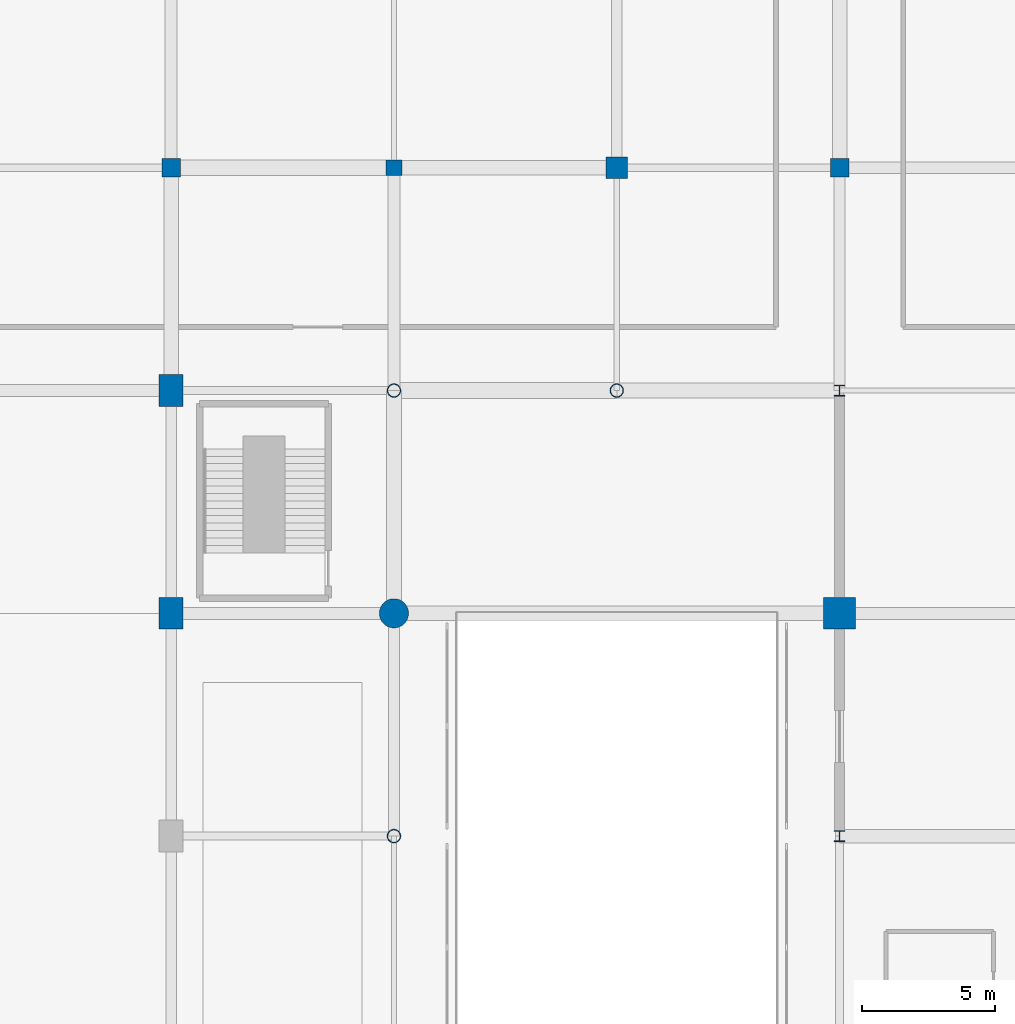
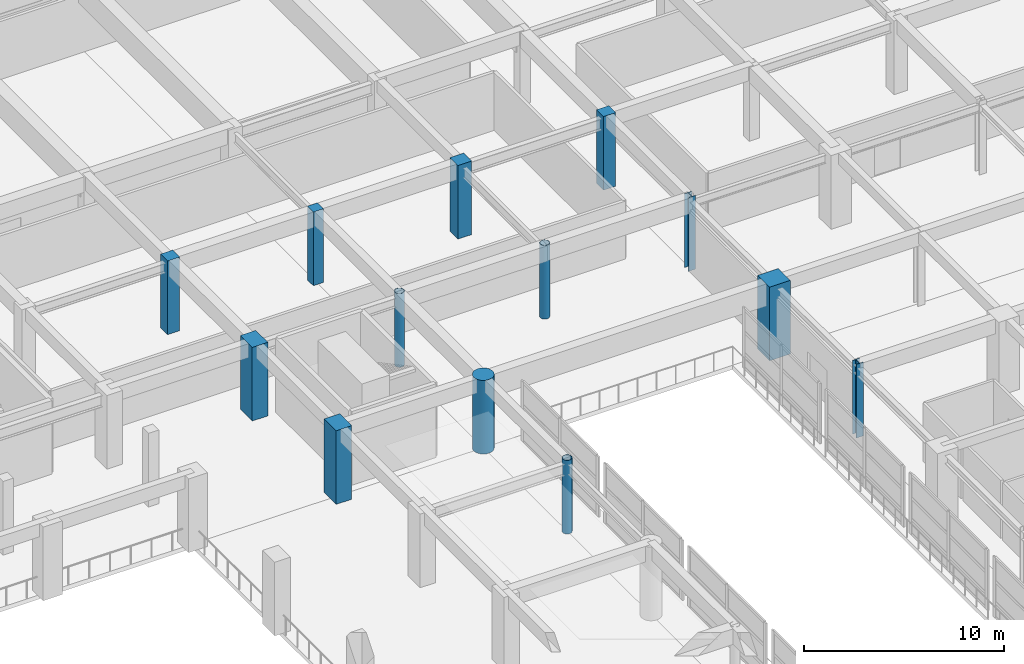
# One storey, part 4 of 65: 13 columns.
"""IFC4 building model written with IfcOpenShell, lengths in metres."""

from ifc_helpers import new_model, si_unit, direction, frame, origin, origin_2d, place, context, subcontext, project, spatial, rectangle, circle, hollow_circle, i_section, extrude, material, material_profile, profile_set, type_object, element, save


model = new_model("IFC4")

# Units and contexts
model_context = context("Model", 3, precision=1e-05, world=origin(), true_north=direction((0.0, 1.0)))
body_context = subcontext(model_context, "Body", "Model", "MODEL_VIEW")
ifc_project = project(units=[si_unit("LENGTHUNIT", "METRE"), si_unit("AREAUNIT", "SQUARE_METRE"), si_unit("VOLUMEUNIT", "CUBIC_METRE"), si_unit("PLANEANGLEUNIT", "RADIAN"), si_unit("MASSUNIT", "GRAM", prefix="KILO")], contexts=[model_context])

# Site, building, storey
site_placement = place(None, origin())
site = spatial("IfcSite", under=ifc_project, at=site_placement, CompositionType="ELEMENT")
building_placement = place(site_placement, origin())
building = spatial("IfcBuilding", under=site, at=building_placement, Name="Xuanlan Plaza Opera House", CompositionType="ELEMENT")
storey_placement = place(building_placement, frame((0.0, 0.0, 5.39990234375)))
storey = spatial("IfcBuildingStorey", under=building, at=storey_placement, Name="L01", CompositionType="ELEMENT", Elevation=5.39990234375)

# Columns
ifc_material_1 = material(Name="Concrete C60", Category="concrete")
ifc_material_profile_1 = material_profile(ifc_material_1, rectangle(XDim=1.199951171875, YDim=1.199951171875, at=origin_2d()), Name="RC-COL 1200x1200")
ifc_profile_set_1 = profile_set([ifc_material_profile_1], Name="Concrete C60")
column_type_1 = type_object("IfcColumnType", Name="STR-COL-C-02", PredefinedType="COLUMN", material=ifc_profile_set_1)
column_1_placement = place(storey_placement, frame((126.0, 75.60009765625, 0.0), z_axis=(0.0, 0.0, 1.0), x_axis=(1.0, 0.0, 0.0)))
element("IfcColumn", 1, at=column_1_placement, inside=storey, type_object=column_type_1, Name="Column L01 16-J", PredefinedType="COLUMN", context=body_context, shape_type="SweptSolid", body=[
    extrude(rectangle(XDim=1.199951171875, YDim=1.199951171875, at=origin_2d()), origin(), (0.0, 0.0, 1.0), 4.5),
])
ifc_material_2 = material(Name="Concrete C40", Category="concrete")
ifc_material_profile_2 = material_profile(ifc_material_2, rectangle(XDim=0.800048828125, YDim=0.800048828125, at=origin_2d()), Name="RC-COL 800x800")
ifc_profile_set_2 = profile_set([ifc_material_profile_2], Name="Concrete C40")
column_type_2 = type_object("IfcColumnType", Name="STR-COL-C-06", PredefinedType="COLUMN", material=ifc_profile_set_2)
column_2_placement = place(storey_placement, frame((117.60009765625, 92.39990234375, 0.0), z_axis=(0.0, 0.0, 1.0), x_axis=(1.0, 0.0, 0.0)))
element("IfcColumn", 2, at=column_2_placement, inside=storey, type_object=column_type_2, Name="Column L01 15-L", PredefinedType="COLUMN", context=body_context, shape_type="SweptSolid", body=[
    extrude(rectangle(XDim=0.800048828125, YDim=0.800048828125, at=origin_2d()), origin(), (0.0, 0.0, 1.0), 4.5),
])
ifc_material_profile_3 = material_profile(ifc_material_2, rectangle(XDim=0.699951171875, YDim=0.699951171875, at=origin_2d()), Name="RC-COL 700x700")
ifc_profile_set_3 = profile_set([ifc_material_profile_3], Name="Concrete C40")
column_type_3 = type_object("IfcColumnType", Name="STR-COL-C-07", PredefinedType="COLUMN", material=ifc_profile_set_3)
for number, where, z_axis, x_axis, name in (
    (3, (100.800048828125, 92.39990234375, 0.0), (0.0, 0.0, 1.0), (1.0, 0.0, 0.0), "Column L01 13-L"),
    (4, (126.0, 92.39990234375, 0.0), (0.0, 0.0, 1.0), (1.0, 0.0, 0.0), "Column L01 16-L"),
):
    element("IfcColumn", number, at=place(storey_placement, frame(where, z_axis=z_axis, x_axis=x_axis)), inside=storey, type_object=column_type_3, Name=name, PredefinedType="COLUMN", context=body_context, shape_type="SweptSolid", body=[
        extrude(rectangle(XDim=0.699951171875, YDim=0.699951171875, at=origin_2d()), origin(), (0.0, 0.0, 1.0), 4.5),
    ])
ifc_material_profile_4 = material_profile(ifc_material_2, rectangle(XDim=0.60009765625, YDim=0.60009765625, at=origin_2d()), Name="RC-COL 600x600")
ifc_profile_set_4 = profile_set([ifc_material_profile_4], Name="Concrete C40")
column_type_4 = type_object("IfcColumnType", Name="STR-COL-C-08", PredefinedType="COLUMN", material=ifc_profile_set_4)
column_3_placement = place(storey_placement, frame((109.199951171875, 92.39990234375, 0.0), z_axis=(0.0, 0.0, 1.0), x_axis=(1.0, 0.0, 0.0)))
element("IfcColumn", 5, at=column_3_placement, inside=storey, type_object=column_type_4, Name="Column L01 14-L", PredefinedType="COLUMN", context=body_context, shape_type="SweptSolid", body=[
    extrude(rectangle(XDim=0.60009765625, YDim=0.60009765625, at=origin_2d()), origin(), (0.0, 0.0, 1.0), 4.5),
])
ifc_material_3 = material(Name="Concrete C50", Category="concrete")
ifc_material_profile_5 = material_profile(ifc_material_3, rectangle(XDim=0.89990234375, YDim=1.199951171875, at=origin_2d()), Name="RC-COL 900x1200")
ifc_profile_set_5 = profile_set([ifc_material_profile_5], Name="Concrete C50")
column_type_5 = type_object("IfcColumnType", Name="STR-COL-C-10", PredefinedType="COLUMN", material=ifc_profile_set_5)
for number, where, z_axis, x_axis, name in (
    (6, (100.800048828125, 75.60009765625, 0.0), (0.0, 0.0, 1.0), (1.0, 0.0, 0.0), "Column L01 13-J"),
    (7, (100.800048828125, 84.0, 0.0), (0.0, 0.0, 1.0), (1.0, 0.0, 0.0), "Column L01 13-K"),
):
    element("IfcColumn", number, at=place(storey_placement, frame(where, z_axis=z_axis, x_axis=x_axis)), inside=storey, type_object=column_type_5, Name=name, PredefinedType="COLUMN", context=body_context, shape_type="SweptSolid", body=[
        extrude(rectangle(XDim=0.89990234375, YDim=1.199951171875, at=origin_2d()), origin(), (0.0, 0.0, 1.0), 4.5),
    ])
ifc_material_profile_6 = material_profile(ifc_material_3, circle(Radius=0.550048828125, at=origin_2d()), Name="RC-COL D1100")
ifc_profile_set_6 = profile_set([ifc_material_profile_6], Name="Concrete C50")
column_type_6 = type_object("IfcColumnType", Name="STR-COL-C-11", PredefinedType="COLUMN", material=ifc_profile_set_6)
column_4_placement = place(storey_placement, frame((109.199951171875, 75.60009765625, 0.0), z_axis=(0.0, 0.0, 1.0), x_axis=(1.0, 0.0, 0.0)))
element("IfcColumn", 8, at=column_4_placement, inside=storey, type_object=column_type_6, Name="Column L01 14-J", PredefinedType="COLUMN", context=body_context, shape_type="SweptSolid", body=[
    extrude(circle(Radius=0.550048828125, at=origin_2d()), origin(), (0.0, 0.0, 1.0), 4.5),
])
ifc_material_4 = material(Name="Steel Q390B", Category="steel")
ifc_material_profile_7 = material_profile(ifc_material_4, i_section(OverallWidth=0.405029296875, OverallDepth=0.4140625, WebThickness=0.01806640625, FlangeThickness=0.028076171875, FilletRadius=0.02197265625, at=origin_2d()), Name="HW 414x405x18x28")
ifc_profile_set_7 = profile_set([ifc_material_profile_7], Name="Steel Q390B")
column_type_7 = type_object("IfcColumnType", Name="STR-COL-C-13", PredefinedType="COLUMN", material=ifc_profile_set_7)
for number, where, z_axis, x_axis, name in (
    (9, (126.0, 67.199951171875, 0.0), (0.0, 0.0, 1.0), (1.0, 0.0, 0.0), "Column L01 16-I"),
    (10, (126.0, 84.0, 0.0), (0.0, 0.0, 1.0), (1.0, 0.0, 0.0), "Column L01 16-K"),
):
    element("IfcColumn", number, at=place(storey_placement, frame(where, z_axis=z_axis, x_axis=x_axis)), inside=storey, type_object=column_type_7, Name=name, PredefinedType="COLUMN", context=body_context, shape_type="SweptSolid", body=[
        extrude(i_section(OverallWidth=0.405029296875, OverallDepth=0.4140625, WebThickness=0.01806640625, FlangeThickness=0.028076171875, FilletRadius=0.02197265625, at=origin_2d()), origin(), (0.0, 0.0, 1.0), 4.5),
    ])
ifc_material_5 = material(Name="Steel Q355B", Category="steel")
ifc_material_profile_8 = material_profile(ifc_material_5, hollow_circle(Radius=0.25390625, WallThickness=0.02001953125, at=origin_2d()), Name="CHS 508x20")
ifc_profile_set_8 = profile_set([ifc_material_profile_8], Name="Steel Q355B")
column_type_8 = type_object("IfcColumnType", Name="STR-COL-C-16", PredefinedType="COLUMN", material=ifc_profile_set_8)
for number, where, z_axis, x_axis, name in (
    (11, (109.199951171875, 67.199951171875, 0.0), (0.0, 0.0, 1.0), (1.0, 0.0, 0.0), "Column L01 14-I"),
    (12, (109.199951171875, 84.0, 0.0), (0.0, 0.0, 1.0), (1.0, 0.0, 0.0), "Column L01 14-K"),
    (13, (117.60009765625, 84.0, 0.0), (0.0, 0.0, 1.0), (1.0, 0.0, 0.0), "Column L01 15-K"),
):
    element("IfcColumn", number, at=place(storey_placement, frame(where, z_axis=z_axis, x_axis=x_axis)), inside=storey, type_object=column_type_8, Name=name, PredefinedType="COLUMN", context=body_context, shape_type="SweptSolid", body=[
        extrude(hollow_circle(Radius=0.25390625, WallThickness=0.02001953125, at=origin_2d()), origin(), (0.0, 0.0, 1.0), 4.5),
    ])

save(model, "model.ifc")
